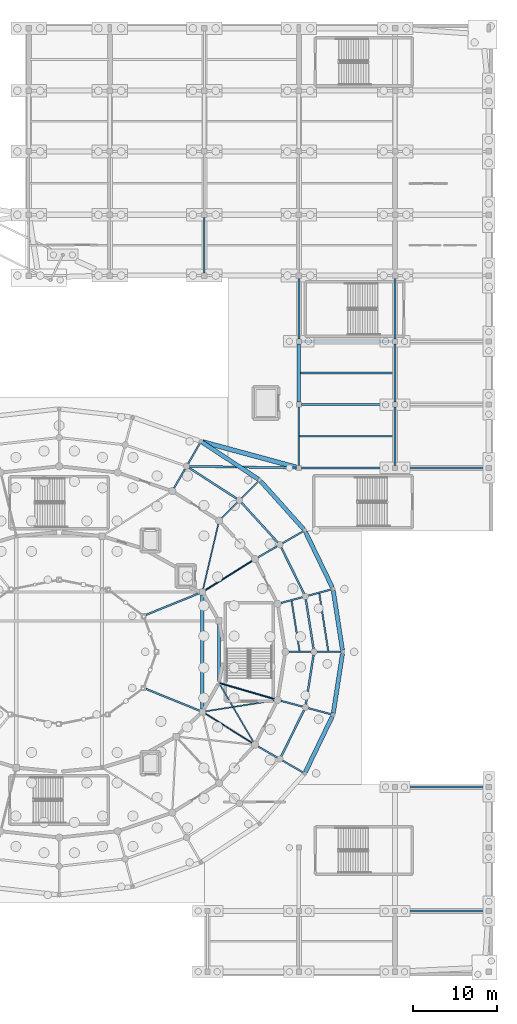
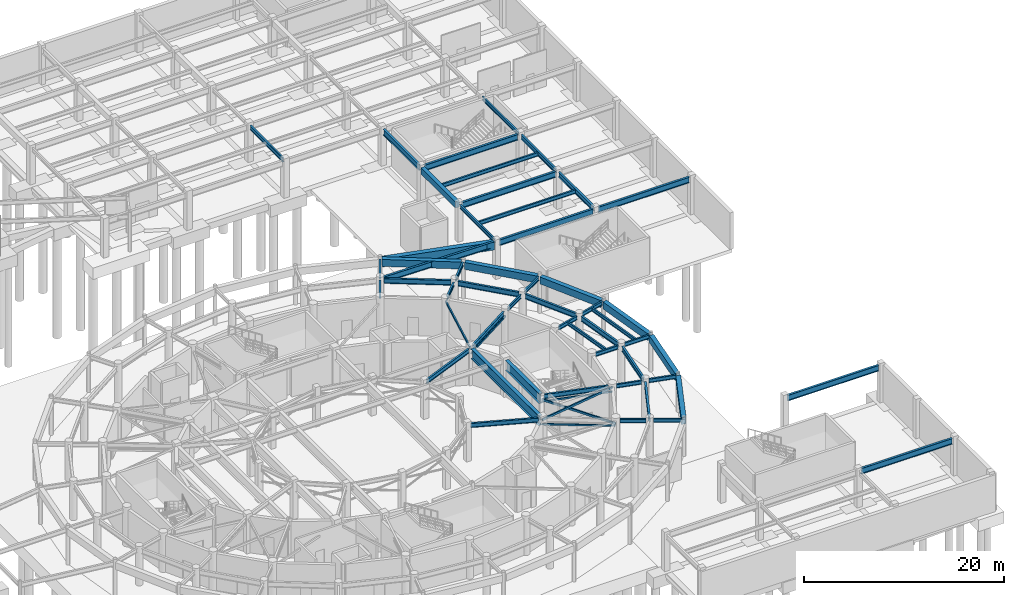
# One storey, part 33 of 68: 51 beams, 6 members.
"""IFC4 building model written with IfcOpenShell, lengths in metres."""

from ifc_helpers import new_model, si_unit, direction, frame, origin, origin_2d, place, context, subcontext, project, spatial, rectangle, hollow_rectangle, i_section, extrude, material, material_profile, profile_set, type_object, element, save


model = new_model("IFC4")

# Units and contexts
model_context = context("Model", 3, precision=1e-05, world=origin(), true_north=direction((0.0, 1.0)))
body_context = subcontext(model_context, "Body", "Model", "MODEL_VIEW")
ifc_project = project(units=[si_unit("LENGTHUNIT", "METRE"), si_unit("AREAUNIT", "SQUARE_METRE"), si_unit("VOLUMEUNIT", "CUBIC_METRE"), si_unit("PLANEANGLEUNIT", "RADIAN"), si_unit("MASSUNIT", "GRAM", prefix="KILO")], contexts=[model_context])

# Site, building, storey
site_placement = place(None, origin())
site = spatial("IfcSite", under=ifc_project, at=site_placement, CompositionType="ELEMENT")
building_placement = place(site_placement, origin())
building = spatial("IfcBuilding", under=site, at=building_placement, Name="Cinderbank Siding Concert Hall", CompositionType="ELEMENT")
storey_placement = place(building_placement, frame((0.0, 0.0, -4.800048828125)))
storey = spatial("IfcBuildingStorey", under=building, at=storey_placement, Name="B1", CompositionType="ELEMENT", Elevation=-4.800048828125)

# Beams
ifc_material_1 = material(Name="Reinforced concrete AS 3600 N50 (50 MPa)", Category="concrete")
ifc_material_profile_1 = material_profile(ifc_material_1, rectangle(XDim=0.449951171875, YDim=0.75, at=origin_2d()), Name="RC-BM-450x750", Category="LoadBearing")
ifc_profile_set_1 = profile_set([ifc_material_profile_1], Name="Reinforced concrete AS 3600 N50 (50 MPa)")
beam_type_1 = type_object("IfcBeamType", Name="BM-RC750 RC-BM-450x750", PredefinedType="BEAM", material=ifc_profile_set_1)
beam_1_placement = place(storey_placement, frame((150.39990234375, 73.592041015625, 4.14697265625), z_axis=(0.0, 1.0, 0.0), x_axis=(-1.0, 0.0, 0.0)))
element("IfcBeam", 1, at=beam_1_placement, inside=storey, type_object=beam_type_1, Name="B1 Beam BM-RC750 #1176", PredefinedType="BEAM", context=body_context, shape_type="SweptSolid", body=[
    extrude(rectangle(XDim=0.449951171875, YDim=0.75, at=origin_2d()), origin(), (0.0, 0.0, 1.0), 6.916015625),
])
ifc_material_profile_2 = material_profile(ifc_material_1, rectangle(XDim=0.5, YDim=0.85009765625, at=origin_2d()), Name="RC-BM-500x850", Category="LoadBearing")
ifc_profile_set_2 = profile_set([ifc_material_profile_2], Name="Reinforced concrete AS 3600 N50 (50 MPa)")
beam_type_2 = type_object("IfcBeamType", Name="BM-RC850 RC-BM-500x850", PredefinedType="BEAM", material=ifc_profile_set_2)
beam_2_placement = place(storey_placement, frame((155.5703125, 44.19287109375, 4.09716796875), z_axis=(-0.151823720732, 0.988407586891, 0.0), x_axis=(-0.988407586891, -0.151823720732, 0.0)))
element("IfcBeam", 2, at=beam_2_placement, inside=storey, type_object=beam_type_2, Name="B1 Beam BM-RC850 #250", PredefinedType="BEAM", context=body_context, shape_type="SweptSolid", body=[
    extrude(rectangle(XDim=0.5, YDim=0.85009765625, at=origin_2d()), origin(), (0.0, 0.0, 1.0), 7.151123046875),
])
beam_3_placement = place(storey_placement, frame((154.3701171875, 51.6298828125, 4.09716796875), z_axis=(-0.435119119312, 0.900372896087, 0.0), x_axis=(-0.900372896087, -0.435119119312, 0.0)))
element("IfcBeam", 3, at=beam_3_placement, inside=storey, type_object=beam_type_2, Name="B1 Beam BM-RC850 #251", PredefinedType="BEAM", context=body_context, shape_type="SweptSolid", body=[
    extrude(rectangle(XDim=0.5, YDim=0.85009765625, at=origin_2d()), origin(), (0.0, 0.0, 1.0), 7.323974609375),
])
beam_4_placement = place(storey_placement, frame((150.96826171875, 58.54541015625, 4.09716796875), z_axis=(-0.66699631625, 0.745061013682, 0.0), x_axis=(-0.745061013682, -0.66699631625, 0.0)))
element("IfcBeam", 4, at=beam_4_placement, inside=storey, type_object=beam_type_2, Name="B1 Beam BM-RC850 #252", PredefinedType="BEAM", context=body_context, shape_type="SweptSolid", body=[
    extrude(rectangle(XDim=0.5, YDim=0.85009765625, at=origin_2d()), origin(), (0.0, 0.0, 1.0), 7.615234375),
])
beam_5_placement = place(storey_placement, frame((145.595703125, 64.471923828125, 4.09716796875), z_axis=(-0.835488051266, 0.549508613392, 0.0), x_axis=(-0.549508613392, -0.835488051266, 0.0)))
element("IfcBeam", 5, at=beam_5_placement, inside=storey, type_object=beam_type_2, Name="B1 Beam BM-RC850 #253", PredefinedType="BEAM", context=body_context, shape_type="SweptSolid", body=[
    extrude(rectangle(XDim=0.5, YDim=0.85009765625, at=origin_2d()), origin(), (0.0, 0.0, 1.0), 7.9384765625),
])
beam_6_placement = place(storey_placement, frame((151.183349609375, 29.77587890625, 4.09716796875), z_axis=(0.435119119312, 0.900372896087, 0.0), x_axis=(-0.900372896087, 0.435119119312, 0.0)))
element("IfcBeam", 6, at=beam_6_placement, inside=storey, type_object=beam_type_2, Name="B1 Beam BM-RC850 #272", PredefinedType="BEAM", context=body_context, shape_type="SweptSolid", body=[
    extrude(rectangle(XDim=0.5, YDim=0.85009765625, at=origin_2d()), origin(), (0.0, 0.0, 1.0), 7.323974609375),
])
beam_7_placement = place(storey_placement, frame((154.484619140625, 36.739013671875, 4.09716796875), z_axis=(0.151823720732, 0.988407586891, 0.0), x_axis=(-0.988407586891, 0.151823720732, 0.0)))
element("IfcBeam", 7, at=beam_7_placement, inside=storey, type_object=beam_type_2, Name="B1 Beam BM-RC850 #273", PredefinedType="BEAM", context=body_context, shape_type="SweptSolid", body=[
    extrude(rectangle(XDim=0.5, YDim=0.85009765625, at=origin_2d()), origin(), (0.0, 0.0, 1.0), 7.151123046875),
])
ifc_material_profile_3 = material_profile(ifc_material_1, rectangle(XDim=0.550048828125, YDim=0.949951171875, at=origin_2d()), Name="RC-BM-550x950", Category="LoadBearing")
ifc_profile_set_3 = profile_set([ifc_material_profile_3], Name="Reinforced concrete AS 3600 N50 (50 MPa)")
beam_type_3 = type_object("IfcBeamType", Name="BM-RC950 RC-BM-550x950", PredefinedType="BEAM", material=ifc_profile_set_3)
beam_8_placement = place(storey_placement, frame((150.1181640625, 65.876220703125, 4.047119140625), z_axis=(-0.965230378648, 0.261400681205, 0.0), x_axis=(-0.261400681205, -0.965230378648, 0.0)))
element("IfcBeam", 8, at=beam_8_placement, inside=storey, type_object=beam_type_3, Name="B1 Beam BM-RC950 #16", PredefinedType="BEAM", context=body_context, shape_type="SweptSolid", body=[
    extrude(rectangle(XDim=0.550048828125, YDim=0.949951171875, at=origin_2d()), origin(), (0.0, 0.0, 1.0), 11.53076171875),
])
ifc_material_2 = material(Name="Structural steel AS/NZS 3679.1 Grade 350 (340 MPa)", Category="steel")
ifc_material_profile_4 = material_profile(ifc_material_2, i_section(OverallWidth=0.18994140625, OverallDepth=0.45751953125, WebThickness=0.009033203125, FlangeThickness=0.014404296875, at=origin_2d()), Name="460UB74.6", Category="LoadBearing")
ifc_profile_set_4 = profile_set([ifc_material_profile_4], Name="Structural steel AS/NZS 3679.1 Grade 350 (340 MPa)")
beam_type_4 = type_object("IfcBeamType", Name="BM-UB460 460UB74.6", PredefinedType="BEAM", material=ifc_profile_set_4)
beam_9_placement = place(storey_placement, frame((150.39990234375, 66.092041015625, 4.29345703125), z_axis=(0.0, 1.0, 0.0), x_axis=(-1.0, 0.0, 0.0)))
element("IfcBeam", 9, at=beam_9_placement, inside=storey, type_object=beam_type_4, Name="B1 Beam BM-UB460 #1174", PredefinedType="BEAM", context=body_context, shape_type="SweptSolid", body=[
    extrude(i_section(OverallWidth=0.18994140625, OverallDepth=0.45751953125, WebThickness=0.009033203125, FlangeThickness=0.014404296875, at=origin_2d()), origin(), (0.0, 0.0, 1.0), 6.916015625),
])
beam_10_placement = place(storey_placement, frame((161.800048828125, 81.092041015625, 4.25341796875), z_axis=(0.0, 1.0, 0.0), x_axis=(-1.0, 0.0, 0.0)))
element("IfcBeam", 10, at=beam_10_placement, inside=storey, type_object=beam_type_4, Name="B1 Beam BM-UB460 #1184", PredefinedType="BEAM", context=body_context, shape_type="SweptSolid", body=[
    extrude(i_section(OverallWidth=0.18994140625, OverallDepth=0.45751953125, WebThickness=0.009033203125, FlangeThickness=0.014404296875, at=origin_2d()), origin(), (0.0, 0.0, 1.0), 7.19091796875),
])
ifc_material_profile_5 = material_profile(ifc_material_2, i_section(OverallWidth=0.19091796875, OverallDepth=0.46044921875, WebThickness=0.010009765625, FlangeThickness=0.01611328125, at=origin_2d()), Name="460UB82.1", Category="LoadBearing")
ifc_profile_set_5 = profile_set([ifc_material_profile_5], Name="Structural steel AS/NZS 3679.1 Grade 350 (340 MPa)")
beam_type_5 = type_object("IfcBeamType", Name="BM-UB460H 460UB82.1", PredefinedType="BEAM", material=ifc_profile_set_5)
for number, where, z_axis, x_axis, name in (
    (11, (149.217041015625, 44.0, 4.251953125), (1.0, 0.0, 0.0), (0.0, 1.0, 0.0), "B1 Beam BM-UB460H #285"),
    (12, (148.28955078125, 49.802001953125, 4.251953125), (0.965932222184, 0.258795174118, 0.0), (-0.258795174118, 0.965932222184, 0.0), "B1 Beam BM-UB460H #286"),
):
    element("IfcBeam", number, at=place(storey_placement, frame(where, z_axis=z_axis, x_axis=x_axis)), inside=storey, type_object=beam_type_5, Name=name, PredefinedType="BEAM", context=body_context, shape_type="SweptSolid", body=[
        extrude(i_section(OverallWidth=0.19091796875, OverallDepth=0.46044921875, WebThickness=0.010009765625, FlangeThickness=0.01611328125, at=origin_2d()), origin(), (0.0, 0.0, 1.0), 2.615966796875),
    ])
beam_11_placement = place(storey_placement, frame((145.570556640625, 55.20849609375, 4.251953125), z_axis=(0.866017746076, 0.500013263306, 0.0), x_axis=(-0.500013263306, 0.866017746076, 0.0)))
element("IfcBeam", 13, at=beam_11_placement, inside=storey, type_object=beam_type_5, Name="B1 Beam BM-UB460H #288", PredefinedType="BEAM", context=body_context, shape_type="SweptSolid", body=[
    extrude(i_section(OverallWidth=0.19091796875, OverallDepth=0.46044921875, WebThickness=0.010009765625, FlangeThickness=0.01611328125, at=origin_2d()), origin(), (0.0, 0.0, 1.0), 2.6162109375),
])
for number, where, z_axis, x_axis, name in (
    (14, (141.245361328125, 59.851318359375, 4.251953125), (0.707153444121, 0.707060115172, 0.0), (-0.707060115172, 0.707153444121, 0.0), "B1 Beam BM-UB460H #289"),
    (15, (135.6083984375, 63.413818359375, 4.251953125), (0.500053675867, 0.86599441179, 0.0), (-0.86599441179, 0.500053675867, 0.0), "B1 Beam BM-UB460H #290"),
):
    element("IfcBeam", number, at=place(storey_placement, frame(where, z_axis=z_axis, x_axis=x_axis)), inside=storey, type_object=beam_type_5, Name=name, PredefinedType="BEAM", context=body_context, shape_type="SweptSolid", body=[
        extrude(i_section(OverallWidth=0.19091796875, OverallDepth=0.46044921875, WebThickness=0.010009765625, FlangeThickness=0.01611328125, at=origin_2d()), origin(), (0.0, 0.0, 1.0), 2.615966796875),
    ])
beam_12_placement = place(storey_placement, frame((145.570556640625, 32.79150390625, 4.251953125), z_axis=(0.866017746076, -0.500013263306, 0.0), x_axis=(0.500013263306, 0.866017746076, 0.0)))
element("IfcBeam", 16, at=beam_12_placement, inside=storey, type_object=beam_type_5, Name="B1 Beam BM-UB460H #306", PredefinedType="BEAM", context=body_context, shape_type="SweptSolid", body=[
    extrude(i_section(OverallWidth=0.19091796875, OverallDepth=0.46044921875, WebThickness=0.010009765625, FlangeThickness=0.01611328125, at=origin_2d()), origin(), (0.0, 0.0, 1.0), 2.6162109375),
])
beam_13_placement = place(storey_placement, frame((148.28955078125, 38.197998046875, 4.251953125), z_axis=(0.965932222184, -0.258795174118, 0.0), x_axis=(0.258795174118, 0.965932222184, 0.0)))
element("IfcBeam", 17, at=beam_13_placement, inside=storey, type_object=beam_type_5, Name="B1 Beam BM-UB460H #307", PredefinedType="BEAM", context=body_context, shape_type="SweptSolid", body=[
    extrude(i_section(OverallWidth=0.19091796875, OverallDepth=0.46044921875, WebThickness=0.010009765625, FlangeThickness=0.01611328125, at=origin_2d()), origin(), (0.0, 0.0, 1.0), 2.615966796875),
])
for number, where, z_axis, x_axis, name in (
    (18, (152.56689453125, 44.0, 4.291748046875), (1.0, 0.0, 0.0), (0.0, 1.0, 0.0), "B1 Beam BM-UB460H #308"),
    (19, (151.525390625, 50.6689453125, 4.291748046875), (0.965915793318, 0.258856485758, 0.0), (-0.258856485758, 0.965915793318, 0.0), "B1 Beam BM-UB460H #309"),
    (20, (148.4716796875, 56.883544921875, 4.291748046875), (0.866032301043, 0.499988053408, 0.0), (-0.499988053408, 0.866032301043, 0.0), "B1 Beam BM-UB460H #311"),
):
    element("IfcBeam", number, at=place(storey_placement, frame(where, z_axis=z_axis, x_axis=x_axis)), inside=storey, type_object=beam_type_5, Name=name, PredefinedType="BEAM", context=body_context, shape_type="SweptSolid", body=[
        extrude(i_section(OverallWidth=0.19091796875, OverallDepth=0.46044921875, WebThickness=0.010009765625, FlangeThickness=0.01611328125, at=origin_2d()), origin(), (0.0, 0.0, 1.0), 2.837890625),
    ])
beam_14_placement = place(storey_placement, frame((143.614013671875, 62.219970703125, 4.291748046875), z_axis=(0.707106781187, 0.707106781187, 0.0), x_axis=(-0.707106781187, 0.707106781187, 0.0)))
element("IfcBeam", 21, at=beam_14_placement, inside=storey, type_object=beam_type_5, Name="B1 Beam BM-UB460H #312", PredefinedType="BEAM", context=body_context, shape_type="SweptSolid", body=[
    extrude(i_section(OverallWidth=0.19091796875, OverallDepth=0.46044921875, WebThickness=0.010009765625, FlangeThickness=0.01611328125, at=origin_2d()), origin(), (0.0, 0.0, 1.0), 2.838134765625),
])
for number, where, z_axis, x_axis, name in (
    (22, (137.283447265625, 66.314697265625, 4.291748046875), (0.499988053408, 0.866032301043, 0.0), (-0.866032301043, 0.499988053408, 0.0), "B1 Beam BM-UB460H #313"),
    (23, (148.4716796875, 31.116455078125, 4.291748046875), (0.866032301043, -0.499988053408, 0.0), (0.499988053408, 0.866032301043, 0.0), "B1 Beam BM-UB460H #331"),
    (24, (151.525390625, 37.3310546875, 4.291748046875), (0.965915793318, -0.258856485758, 0.0), (0.258856485758, 0.965915793318, 0.0), "B1 Beam BM-UB460H #332"),
):
    element("IfcBeam", number, at=place(storey_placement, frame(where, z_axis=z_axis, x_axis=x_axis)), inside=storey, type_object=beam_type_5, Name=name, PredefinedType="BEAM", context=body_context, shape_type="SweptSolid", body=[
        extrude(i_section(OverallWidth=0.19091796875, OverallDepth=0.46044921875, WebThickness=0.010009765625, FlangeThickness=0.01611328125, at=origin_2d()), origin(), (0.0, 0.0, 1.0), 2.837890625),
    ])
ifc_material_profile_6 = material_profile(ifc_material_2, i_section(OverallWidth=0.208984375, OverallDepth=0.5283203125, WebThickness=0.009521484375, FlangeThickness=0.01318359375, at=origin_2d()), Name="530UB82.0", Category="LoadBearing")
ifc_profile_set_6 = profile_set([ifc_material_profile_6], Name="Structural steel AS/NZS 3679.1 Grade 350 (340 MPa)")
beam_type_6 = type_object("IfcBeamType", Name="BM-UB530 530UB82.0", PredefinedType="BEAM", material=ifc_profile_set_6)
for number, where, z_axis, x_axis, name in (
    (25, (132.273193359375, 48.384765625, 4.218017578125), (0.926795292683, 0.37556688547, 0.0), (-0.37556688547, 0.926795292683, 0.0), "B1 Beam BM-UB530 #132"),
    (26, (132.273193359375, 39.615234375, 4.218017578125), (0.926795292683, -0.37556688547, 0.0), (0.37556688547, 0.926795292683, 0.0), "B1 Beam BM-UB530 #147"),
):
    element("IfcBeam", number, at=place(storey_placement, frame(where, z_axis=z_axis, x_axis=x_axis)), inside=storey, type_object=beam_type_6, Name=name, PredefinedType="BEAM", context=body_context, shape_type="SweptSolid", body=[
        extrude(i_section(OverallWidth=0.208984375, OverallDepth=0.5283203125, WebThickness=0.009521484375, FlangeThickness=0.01318359375, at=origin_2d()), origin(), (0.0, 0.0, 1.0), 6.887939453125),
    ])
beam_15_placement = place(storey_placement, frame((139.199951171875, 88.9169921875, 4.218017578125), z_axis=(0.0, 1.0, 0.0), x_axis=(-1.0, 0.0, 0.0)))
element("IfcBeam", 27, at=beam_15_placement, inside=storey, type_object=beam_type_6, Name="B1 Beam BM-UB530 #1117", PredefinedType="BEAM", context=body_context, shape_type="SweptSolid", body=[
    extrude(i_section(OverallWidth=0.208984375, OverallDepth=0.5283203125, WebThickness=0.009521484375, FlangeThickness=0.01318359375, at=origin_2d()), origin(), (0.0, 0.0, 1.0), 6.56591796875),
])
beam_16_placement = place(storey_placement, frame((161.800048828125, 73.592041015625, 4.258056640625), z_axis=(0.0, 1.0, 0.0), x_axis=(-1.0, 0.0, 0.0)))
element("IfcBeam", 28, at=beam_16_placement, inside=storey, type_object=beam_type_6, Name="B1 Beam BM-UB530 #1182", PredefinedType="BEAM", context=body_context, shape_type="SweptSolid", body=[
    extrude(i_section(OverallWidth=0.208984375, OverallDepth=0.5283203125, WebThickness=0.009521484375, FlangeThickness=0.01318359375, at=origin_2d()), origin(), (0.0, 0.0, 1.0), 6.916015625),
])
ifc_material_profile_7 = material_profile(ifc_material_2, i_section(OverallWidth=0.208984375, OverallDepth=0.532958984375, WebThickness=0.01025390625, FlangeThickness=0.015625, at=origin_2d()), Name="530UB92.4", Category="LoadBearing")
ifc_profile_set_7 = profile_set([ifc_material_profile_7], Name="Structural steel AS/NZS 3679.1 Grade 350 (340 MPa)")
beam_type_7 = type_object("IfcBeamType", Name="BM-UB530H 530UB92.4", PredefinedType="BEAM", material=ifc_profile_set_7)
beam_17_placement = place(storey_placement, frame((139.26416015625, 51.281494140625, 4.235595703125), z_axis=(0.847831894761, 0.530265101836, 0.0), x_axis=(-0.530265101836, 0.847831894761, 0.0)))
element("IfcBeam", 29, at=beam_17_placement, inside=storey, type_object=beam_type_7, Name="B1 Beam BM-UB530H #274", PredefinedType="BEAM", context=body_context, shape_type="SweptSolid", body=[
    extrude(i_section(OverallWidth=0.208984375, OverallDepth=0.532958984375, WebThickness=0.01025390625, FlangeThickness=0.015625, at=origin_2d()), origin(), (0.0, 0.0, 1.0), 6.595458984375),
])
beam_18_placement = place(storey_placement, frame((141.116455078125, 40.271240234375, 4.235595703125), z_axis=(0.96035417432, -0.278782818455, 0.0), x_axis=(0.278782818455, 0.96035417432, 0.0)))
element("IfcBeam", 30, at=beam_18_placement, inside=storey, type_object=beam_type_7, Name="B1 Beam BM-UB530H #284", PredefinedType="BEAM", context=body_context, shape_type="SweptSolid", body=[
    extrude(i_section(OverallWidth=0.208984375, OverallDepth=0.532958984375, WebThickness=0.01025390625, FlangeThickness=0.015625, at=origin_2d()), origin(), (0.0, 0.0, 1.0), 6.6328125),
])
ifc_material_profile_8 = material_profile(ifc_material_2, i_section(OverallWidth=0.22802734375, OverallDepth=0.602294921875, WebThickness=0.010498046875, FlangeThickness=0.014892578125, at=origin_2d()), Name="610UB101", Category="LoadBearing")
ifc_profile_set_8 = profile_set([ifc_material_profile_8], Name="Structural steel AS/NZS 3679.1 Grade 350 (340 MPa)")
beam_type_8 = type_object("IfcBeamType", Name="BM-UB610 610UB101", PredefinedType="BEAM", material=ifc_profile_set_8)
beam_19_placement = place(storey_placement, frame((161.800048828125, 66.092041015625, 4.220947265625), z_axis=(0.0, 1.0, 0.0), x_axis=(-1.0, 0.0, 0.0)))
element("IfcBeam", 31, at=beam_19_placement, inside=storey, type_object=beam_type_8, Name="B1 Beam BM-UB610 #1180", PredefinedType="BEAM", context=body_context, shape_type="SweptSolid", body=[
    extrude(i_section(OverallWidth=0.22802734375, OverallDepth=0.602294921875, WebThickness=0.010498046875, FlangeThickness=0.014892578125, at=origin_2d()), origin(), (0.0, 0.0, 1.0), 6.916015625),
])
ifc_material_profile_9 = material_profile(ifc_material_2, i_section(OverallWidth=0.22802734375, OverallDepth=0.60693359375, WebThickness=0.01123046875, FlangeThickness=0.017333984375, at=origin_2d()), Name="610UB113", Category="LoadBearing")
ifc_profile_set_9 = profile_set([ifc_material_profile_9], Name="Structural steel AS/NZS 3679.1 Grade 350 (340 MPa)")
beam_type_9 = type_object("IfcBeamType", Name="BM-UB610M 610UB113", PredefinedType="BEAM", material=ifc_profile_set_9)
beam_20_placement = place(storey_placement, frame((152.143310546875, 44.362548828125, 4.178466796875), z_axis=(-0.154647347638, 0.9879697353, 0.0), x_axis=(-0.9879697353, -0.154647347638, 0.0)))
element("IfcBeam", 32, at=beam_20_placement, inside=storey, type_object=beam_type_9, Name="B1 Beam BM-UB610M #226", PredefinedType="BEAM", context=body_context, shape_type="SweptSolid", body=[
    extrude(i_section(OverallWidth=0.22802734375, OverallDepth=0.60693359375, WebThickness=0.01123046875, FlangeThickness=0.017333984375, at=origin_2d()), origin(), (0.0, 0.0, 1.0), 5.920166015625),
])
beam_21_placement = place(storey_placement, frame((151.0087890625, 50.9033203125, 4.178466796875), z_axis=(-0.441805555106, 0.89711083567, 0.0), x_axis=(-0.89711083567, -0.441805555106, 0.0)))
element("IfcBeam", 33, at=beam_21_placement, inside=storey, type_object=beam_type_9, Name="B1 Beam BM-UB610M #227", PredefinedType="BEAM", context=body_context, shape_type="SweptSolid", body=[
    extrude(i_section(OverallWidth=0.22802734375, OverallDepth=0.60693359375, WebThickness=0.01123046875, FlangeThickness=0.017333984375, at=origin_2d()), origin(), (0.0, 0.0, 1.0), 6.094482421875),
])
beam_22_placement = place(storey_placement, frame((147.906494140625, 56.97119140625, 4.178466796875), z_axis=(-0.673967477755, 0.738761016113, 0.0), x_axis=(-0.738761016113, -0.673967477755, 0.0)))
element("IfcBeam", 34, at=beam_22_placement, inside=storey, type_object=beam_type_9, Name="B1 Beam BM-UB610M #228", PredefinedType="BEAM", context=body_context, shape_type="SweptSolid", body=[
    extrude(i_section(OverallWidth=0.22802734375, OverallDepth=0.60693359375, WebThickness=0.01123046875, FlangeThickness=0.017333984375, at=origin_2d()), origin(), (0.0, 0.0, 1.0), 6.38671875),
])
beam_23_placement = place(storey_placement, frame((143.046142578125, 62.159423828125, 4.178466796875), z_axis=(-0.840198253685, 0.542279350984, 0.0), x_axis=(-0.542279350984, -0.840198253685, 0.0)))
element("IfcBeam", 35, at=beam_23_placement, inside=storey, type_object=beam_type_9, Name="B1 Beam BM-UB610M #229", PredefinedType="BEAM", context=body_context, shape_type="SweptSolid", body=[
    extrude(i_section(OverallWidth=0.22802734375, OverallDepth=0.60693359375, WebThickness=0.01123046875, FlangeThickness=0.017333984375, at=origin_2d()), origin(), (0.0, 0.0, 1.0), 6.7099609375),
])
beam_24_placement = place(storey_placement, frame((148.316162109375, 31.629150390625, 4.178466796875), z_axis=(0.441805555106, 0.89711083567, 0.0), x_axis=(-0.89711083567, 0.441805555106, 0.0)))
element("IfcBeam", 36, at=beam_24_placement, inside=storey, type_object=beam_type_9, Name="B1 Beam BM-UB610M #248", PredefinedType="BEAM", context=body_context, shape_type="SweptSolid", body=[
    extrude(i_section(OverallWidth=0.22802734375, OverallDepth=0.60693359375, WebThickness=0.01123046875, FlangeThickness=0.017333984375, at=origin_2d()), origin(), (0.0, 0.0, 1.0), 6.094482421875),
])
beam_25_placement = place(storey_placement, frame((151.227783203125, 37.78857421875, 4.178466796875), z_axis=(0.154647347638, 0.9879697353, 0.0), x_axis=(-0.9879697353, 0.154647347638, 0.0)))
element("IfcBeam", 37, at=beam_25_placement, inside=storey, type_object=beam_type_9, Name="B1 Beam BM-UB610M #249", PredefinedType="BEAM", context=body_context, shape_type="SweptSolid", body=[
    extrude(i_section(OverallWidth=0.22802734375, OverallDepth=0.60693359375, WebThickness=0.01123046875, FlangeThickness=0.017333984375, at=origin_2d()), origin(), (0.0, 0.0, 1.0), 5.920166015625),
])
ifc_material_3 = material(Name="Structural steel welded plate section AS/NZS 3679.2 / AS/NZS 3678 Grade 350 (340 MPa)", Category="steel")
ifc_material_profile_10 = material_profile(ifc_material_3, i_section(OverallWidth=0.39990234375, OverallDepth=1.199951171875, WebThickness=0.01611328125, FlangeThickness=0.031982421875, at=origin_2d()), Name="1200WB342", Category="LoadBearing")
ifc_profile_set_10 = profile_set([ifc_material_profile_10], Name="Structural steel welded plate section AS/NZS 3679.2 / AS/NZS 3678 Grade 350 (340 MPa)")
beam_type_10 = type_object("IfcBeamType", Name="BM-WB1200 1200WB342", PredefinedType="BEAM", material=ifc_profile_set_10)
beam_26_placement = place(storey_placement, frame((140.93212890625, 47.30810546875, 3.882080078125), z_axis=(0.0, -1.0, 0.0), x_axis=(1.0, 0.0, 0.0)))
element("IfcBeam", 38, at=beam_26_placement, inside=storey, type_object=beam_type_10, Name="B1 Beam BM-WB1200 #108", PredefinedType="BEAM", context=body_context, shape_type="SweptSolid", body=[
    extrude(i_section(OverallWidth=0.39990234375, OverallDepth=1.199951171875, WebThickness=0.01611328125, FlangeThickness=0.031982421875, at=origin_2d()), origin(), (0.0, 0.0, 1.0), 6.791259765625),
])
beam_27_placement = place(storey_placement, frame((138.97412109375, 50.758056640625, 3.882080078125), z_axis=(0.0, -1.0, 0.0), x_axis=(1.0, 0.0, 0.0)))
element("IfcBeam", 39, at=beam_27_placement, inside=storey, type_object=beam_type_10, Name="B1 Beam BM-WB1200 #110", PredefinedType="BEAM", context=body_context, shape_type="SweptSolid", body=[
    extrude(i_section(OverallWidth=0.39990234375, OverallDepth=1.199951171875, WebThickness=0.01611328125, FlangeThickness=0.031982421875, at=origin_2d()), origin(), (0.0, 0.0, 1.0), 13.51611328125),
])
ifc_material_profile_11 = material_profile(ifc_material_3, i_section(OverallWidth=0.25, OverallDepth=0.699951171875, WebThickness=0.010009765625, FlangeThickness=0.01611328125, at=origin_2d()), Name="700WB130", Category="LoadBearing")
ifc_profile_set_11 = profile_set([ifc_material_profile_11], Name="Structural steel welded plate section AS/NZS 3679.2 / AS/NZS 3678 Grade 350 (340 MPa)")
beam_type_11 = type_object("IfcBeamType", Name="BM-WB700 700WB130", PredefinedType="BEAM", material=ifc_profile_set_11)
beam_28_placement = place(storey_placement, frame((137.467041015625, 65.99169921875, 4.172119140625), z_axis=(0.999890011565, -0.014831209396, 0.0), x_axis=(0.014831209396, 0.999890011565, 0.0)))
element("IfcBeam", 40, at=beam_28_placement, inside=storey, type_object=beam_type_11, Name="B1 Beam BM-WB700 #1064", PredefinedType="BEAM", context=body_context, shape_type="SweptSolid", body=[
    extrude(i_section(OverallWidth=0.25, OverallDepth=0.699951171875, WebThickness=0.010009765625, FlangeThickness=0.01611328125, at=origin_2d()), origin(), (0.0, 0.0, 1.0), 12.642333984375),
])
for number, where, z_axis, x_axis, name in (
    (41, (162.092041015625, 13.300048828125, 4.152099609375), (1.0, 0.0, 0.0), (0.0, 1.0, 0.0), "B1 Beam BM-WB700 #1163"),
    (42, (162.092041015625, 28.0, 4.152099609375), (1.0, 0.0, 0.0), (0.0, 1.0, 0.0), "B1 Beam BM-WB700 #1164"),
):
    element("IfcBeam", number, at=place(storey_placement, frame(where, z_axis=z_axis, x_axis=x_axis)), inside=storey, type_object=beam_type_11, Name=name, PredefinedType="BEAM", context=body_context, shape_type="SweptSolid", body=[
        extrude(i_section(OverallWidth=0.25, OverallDepth=0.699951171875, WebThickness=0.010009765625, FlangeThickness=0.01611328125, at=origin_2d()), origin(), (0.0, 0.0, 1.0), 10.515869140625),
    ])
for number, where, z_axis, x_axis, name in (
    (43, (150.69189453125, 65.800048828125, 4.172119140625), (1.0, 0.0, 0.0), (0.0, 1.0, 0.0), "B1 Beam BM-WB700 #1173"),
    (44, (150.69189453125, 73.300048828125, 4.172119140625), (1.0, 0.0, 0.0), (0.0, 1.0, 0.0), "B1 Beam BM-WB700 #1175"),
    (45, (150.69189453125, 80.800048828125, 4.172119140625), (1.0, 0.0, 0.0), (0.0, 1.0, 0.0), "B1 Beam BM-WB700 #1177"),
):
    element("IfcBeam", number, at=place(storey_placement, frame(where, z_axis=z_axis, x_axis=x_axis)), inside=storey, type_object=beam_type_11, Name=name, PredefinedType="BEAM", context=body_context, shape_type="SweptSolid", body=[
        extrude(i_section(OverallWidth=0.25, OverallDepth=0.699951171875, WebThickness=0.010009765625, FlangeThickness=0.01611328125, at=origin_2d()), origin(), (0.0, 0.0, 1.0), 10.816162109375),
    ])
beam_29_placement = place(storey_placement, frame((150.39990234375, 81.092041015625, 4.132080078125), z_axis=(0.0, 1.0, 0.0), x_axis=(-1.0, 0.0, 0.0)))
element("IfcBeam", 46, at=beam_29_placement, inside=storey, type_object=beam_type_11, Name="B1 Beam BM-WB700 #1178", PredefinedType="BEAM", context=body_context, shape_type="SweptSolid", body=[
    extrude(i_section(OverallWidth=0.25, OverallDepth=0.699951171875, WebThickness=0.010009765625, FlangeThickness=0.01611328125, at=origin_2d()), origin(), (0.0, 0.0, 1.0), 7.19091796875),
])
beam_30_placement = place(storey_placement, frame((162.092041015625, 65.800048828125, 4.172119140625), z_axis=(1.0, 0.0, 0.0), x_axis=(0.0, 1.0, 0.0)))
element("IfcBeam", 47, at=beam_30_placement, inside=storey, type_object=beam_type_11, Name="B1 Beam BM-WB700 #1179", PredefinedType="BEAM", context=body_context, shape_type="SweptSolid", body=[
    extrude(i_section(OverallWidth=0.25, OverallDepth=0.699951171875, WebThickness=0.010009765625, FlangeThickness=0.01611328125, at=origin_2d()), origin(), (0.0, 0.0, 1.0), 10.515869140625),
])
ifc_material_profile_12 = material_profile(ifc_material_2, i_section(OverallWidth=0.177978515625, OverallDepth=0.406494140625, WebThickness=0.0078125, FlangeThickness=0.0126953125, at=origin_2d()), Name="410UB59.7", Category="LoadBearing")
ifc_profile_set_12 = profile_set([ifc_material_profile_12], Name="Structural steel AS/NZS 3679.1 Grade 350 (340 MPa)")
beam_type_12 = type_object("IfcBeamType", Name="JS-UB410H 410UB59.7", PredefinedType="JOIST", material=ifc_profile_set_12)
beam_31_placement = place(storey_placement, frame((150.486083984375, 44.08837890625, 4.27880859375), z_axis=(-0.156365807053, 0.987699212506, 0.0), x_axis=(-0.987699212506, -0.156365807053, 0.0)))
element("IfcBeam", 48, at=beam_31_placement, inside=storey, type_object=beam_type_12, Name="B1 Beam JS-UB410H #287", PredefinedType="JOIST", context=body_context, shape_type="SweptSolid", body=[
    extrude(i_section(OverallWidth=0.177978515625, OverallDepth=0.406494140625, WebThickness=0.0078125, FlangeThickness=0.0126953125, at=origin_2d()), origin(), (0.0, 0.0, 1.0), 6.031494140625),
])
beam_32_placement = place(storey_placement, frame((153.88623046875, 44.08837890625, 4.31884765625), z_axis=(-0.153109789384, 0.988209184533, 0.0), x_axis=(-0.988209184533, -0.153109789384, 0.0)))
element("IfcBeam", 49, at=beam_32_placement, inside=storey, type_object=beam_type_12, Name="B1 Beam JS-UB410H #310", PredefinedType="JOIST", context=body_context, shape_type="SweptSolid", body=[
    extrude(i_section(OverallWidth=0.177978515625, OverallDepth=0.406494140625, WebThickness=0.0078125, FlangeThickness=0.0126953125, at=origin_2d()), origin(), (0.0, 0.0, 1.0), 6.918701171875),
])
ifc_material_profile_13 = material_profile(ifc_material_2, i_section(OverallWidth=0.18994140625, OverallDepth=0.453857421875, WebThickness=0.008544921875, FlangeThickness=0.0126953125, at=origin_2d()), Name="460UB67.1", Category="LoadBearing")
ifc_profile_set_13 = profile_set([ifc_material_profile_13], Name="Structural steel AS/NZS 3679.1 Grade 350 (340 MPa)")
beam_type_13 = type_object("IfcBeamType", Name="JS-UB460 460UB67.1", PredefinedType="JOIST", material=ifc_profile_set_13)
beam_33_placement = place(storey_placement, frame((150.487060546875, 69.550048828125, 4.295166015625), z_axis=(1.0, 0.0, 0.0), x_axis=(0.0, 1.0, 0.0)))
element("IfcBeam", 50, at=beam_33_placement, inside=storey, type_object=beam_type_13, Name="B1 Beam JS-UB460 #1264", PredefinedType="JOIST", context=body_context, shape_type="SweptSolid", body=[
    extrude(i_section(OverallWidth=0.18994140625, OverallDepth=0.453857421875, WebThickness=0.008544921875, FlangeThickness=0.0126953125, at=origin_2d()), origin(), (0.0, 0.0, 1.0), 11.20703125),
])
beam_34_placement = place(storey_placement, frame((150.616943359375, 77.050048828125, 4.295166015625), z_axis=(1.0, 0.0, 0.0), x_axis=(0.0, 1.0, 0.0)))
element("IfcBeam", 51, at=beam_34_placement, inside=storey, type_object=beam_type_13, Name="B1 Beam JS-UB460 #1265", PredefinedType="JOIST", context=body_context, shape_type="SweptSolid", body=[
    extrude(i_section(OverallWidth=0.18994140625, OverallDepth=0.453857421875, WebThickness=0.008544921875, FlangeThickness=0.0126953125, at=origin_2d()), origin(), (0.0, 0.0, 1.0), 11.086669921875),
])

# Members
ifc_material_4 = material(Name="Structural steel hollow section AS/NZS 1163 Grade C350L0 (350 MPa)", Category="steel")
ifc_material_profile_14 = material_profile(ifc_material_4, hollow_rectangle(XDim=0.10009765625, YDim=0.199951171875, WallThickness=0.008056640625, at=origin_2d()), Name="200x100x8.0RHS", Category="LoadBearing")
ifc_profile_set_14 = profile_set([ifc_material_profile_14], Name="Structural steel hollow section AS/NZS 1163 Grade C350L0 (350 MPa)")
member_type_1 = type_object("IfcMemberType", Name="PR-RHS200 200x100x8.0RHS Roof Truss", PredefinedType="PURLIN", material=ifc_profile_set_14)
for number, where, z_axis, x_axis, name in (
    (52, (138.97412109375, 51.10009765625, 3.64013671875), (0.847826684568, 0.530273432235, 0.0), (-0.530273432235, 0.847826684568, 0.0), "B1 Roof Truss Member PR-RHS200 #2151"),
    (53, (138.97412109375, 36.89990234375, 3.64013671875), (0.847826684568, -0.530273432235, 0.0), (0.530273432235, 0.847826684568, 0.0), "B1 Roof Truss Member PR-RHS200 #2178"),
):
    element("IfcMember", number, at=place(storey_placement, frame(where, z_axis=z_axis, x_axis=x_axis)), inside=storey, type_object=member_type_1, Name=name, PredefinedType="PURLIN", context=body_context, shape_type="SweptSolid", body=[
        extrude(hollow_rectangle(XDim=0.10009765625, YDim=0.199951171875, WallThickness=0.008056640625, at=origin_2d()), origin(), (0.0, 0.0, 1.0), 7.3544921875),
    ])
member_1_placement = place(storey_placement, frame((140.93212890625, 40.32470703125, 3.64013671875), z_axis=(0.960356417746, -0.278775090161, 0.0), x_axis=(0.278775090161, 0.960356417746, 0.0)))
element("IfcMember", 54, at=member_1_placement, inside=storey, type_object=member_type_1, Name="B1 Roof Truss Member PR-RHS200 #2179", PredefinedType="PURLIN", context=body_context, shape_type="SweptSolid", body=[
    extrude(hollow_rectangle(XDim=0.10009765625, YDim=0.199951171875, WallThickness=0.008056640625, at=origin_2d()), origin(), (0.0, 0.0, 1.0), 7.24169921875),
])
ifc_material_profile_15 = material_profile(ifc_material_4, hollow_rectangle(XDim=0.14990234375, YDim=0.25, WallThickness=0.009033203125, at=origin_2d()), Name="250x150x9.0RHS", Category="LoadBearing")
ifc_profile_set_15 = profile_set([ifc_material_profile_15], Name="Structural steel hollow section AS/NZS 1163 Grade C350L0 (350 MPa)")
member_type_2 = type_object("IfcMemberType", Name="TR-RHS250 250x150x9.0RHS Roof Truss", PredefinedType="RAFTER", material=ifc_profile_set_15)
member_2_placement = place(storey_placement, frame((138.97412109375, 51.10009765625, 4.179931640625), z_axis=(0.227577092084, 0.973760066525, 0.0), x_axis=(-0.973760066525, 0.227577092084, 0.0)))
element("IfcMember", 55, at=member_2_placement, inside=storey, type_object=member_type_2, Name="B1 Roof Truss Member TR-RHS250 #2150", PredefinedType="RAFTER", context=body_context, shape_type="SweptSolid", body=[
    extrude(hollow_rectangle(XDim=0.14990234375, YDim=0.25, WallThickness=0.009033203125, at=origin_2d()), origin(), (0.0, 0.0, 1.0), 8.68408203125),
])
member_3_placement = place(storey_placement, frame((138.97412109375, 36.89990234375, 4.179931640625), z_axis=(0.987784236991, 0.155827793262, 0.0), x_axis=(-0.155827793262, 0.987784236991, 0.0)))
element("IfcMember", 56, at=member_3_placement, inside=storey, type_object=member_type_2, Name="B1 Roof Truss Member TR-RHS250 #2176", PredefinedType="RAFTER", context=body_context, shape_type="SweptSolid", body=[
    extrude(hollow_rectangle(XDim=0.14990234375, YDim=0.25, WallThickness=0.009033203125, at=origin_2d()), origin(), (0.0, 0.0, 1.0), 9.022705078125),
])
member_4_placement = place(storey_placement, frame((140.93212890625, 40.32470703125, 3.900146484375), z_axis=(0.50427542144, -0.863542876372, 0.0), x_axis=(0.863542876372, 0.50427542144, 0.0)))
element("IfcMember", 57, at=member_4_placement, inside=storey, type_object=member_type_2, Name="B1 Roof Truss Member TR-RHS250 #2177", PredefinedType="RAFTER", context=body_context, shape_type="SweptSolid", body=[
    extrude(hollow_rectangle(XDim=0.14990234375, YDim=0.25, WallThickness=0.009033203125, at=origin_2d()), origin(), (0.0, 0.0, 1.0), 8.482177734375),
])

save(model, "model.ifc")
